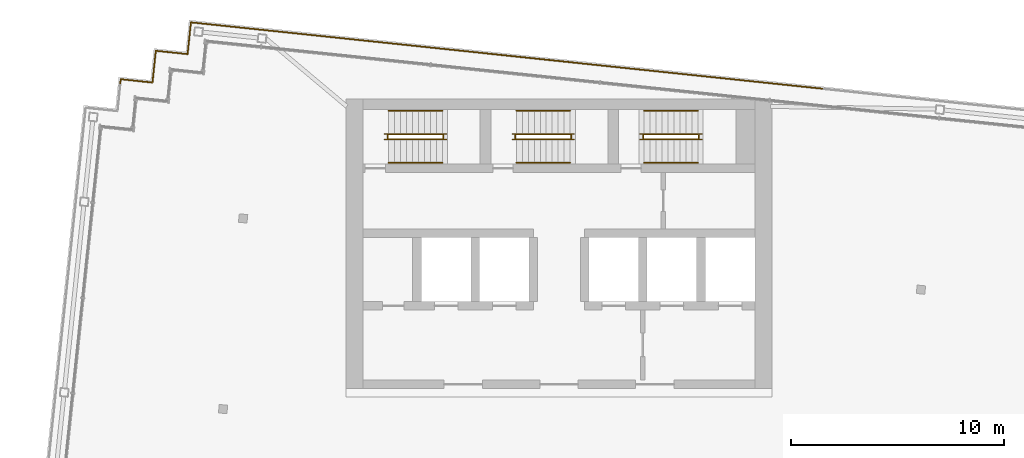
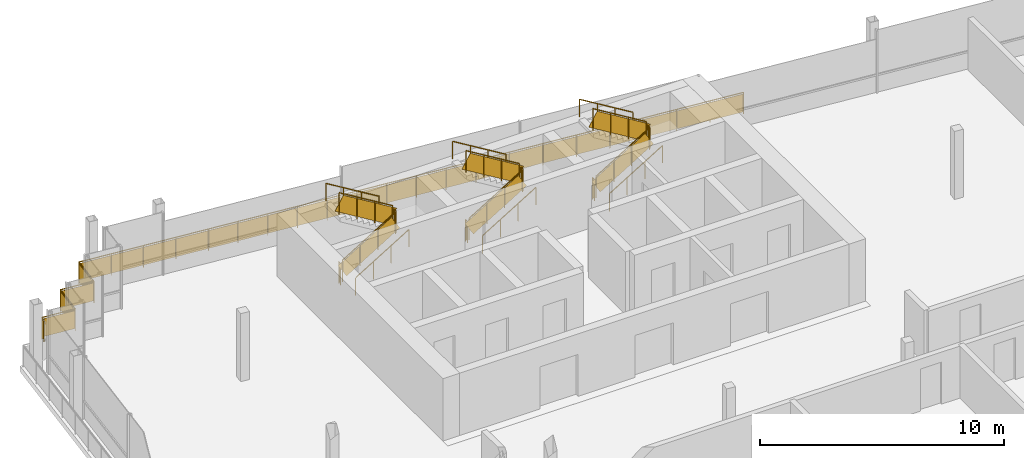
# One storey, part 14 of 15: 21 railings.
"""IFC4 building model written with IfcOpenShell, lengths in metres."""

import ifcopenshell
import ifcopenshell.guid

model = None  # the IFC model being written
_history = None  # IfcOwnerHistory: only IFC2X3 demands one
_inside = {}  # id of a spatial element -> (the spatial element, [elements in it])
_under = {}  # id of a project, library or spatial element -> (it, [spatial elements below it])
_declared = {}  # id of a project -> (the project, [libraries it declares])
_typed = {}  # id of a type object -> (the type object, [elements of that type])
_made_of = {}  # id of a material, layer set ... -> (it, [elements and type objects made of it])


def new_model(schema):
    """Start an empty IFC model of exactly this schema.

    Asked for "IFC4X3", IfcOpenShell would pick the latest addendum, in which some entities
    have other attributes; the version numbers below select the first issue.
    IFC2X3 requires an IfcOwnerHistory on every rooted entity: one is made here for all.
    """
    global model, _history
    if schema == "IFC4X3":
        model = ifcopenshell.file(schema_version=(4, 3, 0, 0))
    else:
        model = ifcopenshell.file(schema=schema)
    _inside.clear()
    _under.clear()
    _declared.clear()
    _typed.clear()
    _made_of.clear()
    _history = None
    if model.schema == "IFC2X3":
        org = make("IfcOrganization", Name="unknown")
        user = make(
            "IfcPersonAndOrganization",
            ThePerson=make("IfcPerson", FamilyName="unknown"),
            TheOrganization=org,
        )
        app = make(
            "IfcApplication",
            ApplicationDeveloper=org,
            Version="unknown",
            ApplicationFullName="unknown",
            ApplicationIdentifier="unknown",
        )
        _history = make(
            "IfcOwnerHistory",
            OwningUser=user,
            OwningApplication=app,
            ChangeAction="ADDED",
            CreationDate=0,
        )
    return model


def make(cls, **values):
    """One entity of the class cls with the attributes given. An attribute that is None is left unset."""
    return model.create_entity(
        cls, **{name: value for name, value in values.items() if value is not None}
    )


def rooted(cls, **values):
    """An entity with a GlobalId (a new one), such as an element, a storey or a relation."""
    return make(cls, GlobalId=ifcopenshell.guid.new(), OwnerHistory=_history, **values)


def si_unit(unit_type, name, prefix=None):
    """IfcSIUnit, for example si_unit("LENGTHUNIT", "METRE", prefix="MILLI")."""
    return make("IfcSIUnit", UnitType=unit_type, Prefix=prefix, Name=name)


def assignment(units):
    """IfcUnitAssignment: the units of a project."""
    return None if units is None else make("IfcUnitAssignment", Units=units)


def point(xyz):
    """IfcCartesianPoint."""
    return None if xyz is None else make("IfcCartesianPoint", Coordinates=xyz)


def direction(xyz):
    """IfcDirection."""
    return None if xyz is None else make("IfcDirection", DirectionRatios=xyz)


def frame(location, z_axis=None, x_axis=None):
    """IfcAxis2Placement3D, a coordinate frame: its origin and axes. An axis left out is left unset."""
    return make(
        "IfcAxis2Placement3D",
        Location=point(location),
        Axis=direction(z_axis),
        RefDirection=direction(x_axis),
    )


def frame_2d(location, x_axis=None):
    """IfcAxis2Placement2D, a coordinate frame in the plane: its origin and x axis."""
    return make(
        "IfcAxis2Placement2D", Location=point(location), RefDirection=direction(x_axis)
    )


def origin():
    """The frame at (0, 0, 0) with its axes left unset."""
    return frame((0.0, 0.0, 0.0))


def origin_2d():
    """The frame at (0, 0) in the plane with its x axis left unset."""
    return frame_2d((0.0, 0.0))


def place(relative_to, where):
    """IfcLocalPlacement: puts the frame where relative to a parent placement (None: the world)."""
    return make(
        "IfcLocalPlacement", PlacementRelTo=relative_to, RelativePlacement=where
    )


def context(
    kind, dimensions, precision=None, world=None, true_north=None, identifier=None
):
    """IfcGeometricRepresentationContext, for example the 3D "Model" context."""
    return make(
        "IfcGeometricRepresentationContext",
        ContextIdentifier=identifier,
        ContextType=kind,
        CoordinateSpaceDimension=dimensions,
        Precision=precision,
        WorldCoordinateSystem=world,
        TrueNorth=true_north,
    )


def subcontext(parent, identifier, kind, view, scale=None):
    """IfcGeometricRepresentationSubContext, for example "Body" below "Model"."""
    return make(
        "IfcGeometricRepresentationSubContext",
        ContextIdentifier=identifier,
        ContextType=kind,
        ParentContext=parent,
        TargetScale=scale,
        TargetView=view,
    )


def project(units=None, contexts=None):
    """IfcProject with its units and contexts."""
    return rooted(
        "IfcProject",
        Name="project",
        RepresentationContexts=contexts,
        UnitsInContext=assignment(units),
    )


def spatial(cls, under=None, at=None, **own):
    """A site, building, storey or space (cls), placed at a placement, below another one or the project."""
    s = rooted(cls, ObjectPlacement=at, **own)
    if under is not None:
        _under.setdefault(under.id(), (under, []))[1].append(s)
    return s


def profile(cls, at=None, kind="AREA", **sizes):
    """A parametric profile (cls). Its sizes go by their IFC names, for example OverallWidth=200.0."""
    return make(cls, ProfileType=kind, Position=at, **sizes)


def rectangle(**sizes):
    """IfcRectangleProfileDef."""
    return profile("IfcRectangleProfileDef", **sizes)


def circle(**sizes):
    """IfcCircleProfileDef."""
    return profile("IfcCircleProfileDef", **sizes)


def extrude(swept, where, along, depth):
    """IfcExtrudedAreaSolid: the profile swept, set in the frame where, extruded along a direction by depth."""
    return make(
        "IfcExtrudedAreaSolid",
        SweptArea=swept,
        Position=where,
        ExtrudedDirection=direction(along),
        Depth=depth,
    )


def shape(context_of_items, identifier, shape_type, items):
    """IfcShapeRepresentation: the items that make up one representation, for example the "Body"."""
    return make(
        "IfcShapeRepresentation",
        ContextOfItems=context_of_items,
        RepresentationIdentifier=identifier,
        RepresentationType=shape_type,
        Items=items,
    )


def material(Name=None, Category=None):
    """IfcMaterial."""
    return make("IfcMaterial", Name=Name, Category=Category)


def made_of(thing, what):
    """Note that an element or type object is made of a material, layer set ...; save() writes the relation."""
    if what is not None:
        _made_of.setdefault(what.id(), (what, []))[1].append(thing)
    return thing


def type_object(cls, material=None, **own):
    """A type object (cls), such as IfcWallType, which elements share."""
    return made_of(rooted(cls, **own), material)


def element(
    cls,
    number,
    at=None,
    inside=None,
    cuts=None,
    type_object=None,
    material=None,
    context=None,
    identifier="Body",
    shape_type=None,
    held_by="IfcProductDefinitionShape",
    body=None,
    shapes=None,
    **own,
):
    """One element of the class cls, such as IfcWall. Its Tag is "e" and its number.

    at: its placement. inside: the storey or other place that contains it. cuts: it is an
    opening in that element (IfcRelVoidsElement). A single representation is given by context,
    identifier, shape_type and body (its items); several are given by shapes. held_by: the class
    of the entity that holds the representations. save() writes the other relations.
    """
    e = rooted(cls, Tag="e%d" % number, ObjectPlacement=at, **own)
    if body is not None:
        shapes = [shape(context, identifier, shape_type, body)]
    if shapes is not None:
        e.Representation = make(held_by, Representations=shapes)
    if inside is not None:
        _inside.setdefault(inside.id(), (inside, []))[1].append(e)
    if cuts is not None:
        rooted(
            "IfcRelVoidsElement", RelatingBuildingElement=cuts, RelatedOpeningElement=e
        )
    if type_object is not None:
        _typed.setdefault(type_object.id(), (type_object, []))[1].append(e)
    return made_of(e, material)


def aggregate(whole, parts):
    """IfcRelAggregates: a whole, such as a stair, and the parts it consists of."""
    return rooted("IfcRelAggregates", RelatingObject=whole, RelatedObjects=parts)


def save(model, path):
    """Write the relations noted so far, then the file.

    IfcRelAggregates (storeys below a building ...), IfcRelContainedInSpatialStructure (elements
    in a storey), IfcRelDefinesByType, IfcRelAssociatesMaterial and IfcRelDeclares: one each for
    every whole, place, type object, material and project.
    """
    for whole, parts in _under.values():
        aggregate(whole, parts)
    for where, things in _inside.values():
        rooted(
            "IfcRelContainedInSpatialStructure",
            RelatedElements=things,
            RelatingStructure=where,
        )
    for kind, things in _typed.values():
        rooted("IfcRelDefinesByType", RelatedObjects=things, RelatingType=kind)
    for what, things in _made_of.values():
        rooted("IfcRelAssociatesMaterial", RelatedObjects=things, RelatingMaterial=what)
    for by, libraries in _declared.values():
        rooted("IfcRelDeclares", RelatingContext=by, RelatedDefinitions=libraries)
    model.write(path)


model = new_model("IFC4")

# Units and contexts
model_context = context("Model", 3, precision=1e-05, world=origin(), true_north=direction((0.0, 1.0)))
body_context = subcontext(model_context, "Body", "Model", "MODEL_VIEW")
ifc_project = project(units=[si_unit("LENGTHUNIT", "METRE"), si_unit("AREAUNIT", "SQUARE_METRE"), si_unit("VOLUMEUNIT", "CUBIC_METRE"), si_unit("PLANEANGLEUNIT", "RADIAN"), si_unit("MASSUNIT", "GRAM", prefix="KILO")], contexts=[model_context])

# Site, building, storey
site_placement = place(None, origin())
site = spatial("IfcSite", under=ifc_project, at=site_placement, CompositionType="ELEMENT")
building_placement = place(site_placement, origin())
building = spatial("IfcBuilding", under=site, at=building_placement, Name="Vidyagriha Tower", CompositionType="ELEMENT")
storey_placement = place(building_placement, frame((0.0, 0.0, 291.5)))
storey = spatial("IfcBuildingStorey", under=building, at=storey_placement, Name="L75", CompositionType="ELEMENT", Elevation=291.5)

# Railings
ifc_material_1 = material(Name="Steel ASTM A500 Grade C black painted", Category="steel")
railing_type_1 = type_object("IfcRailingType", Name="Gallery guard 1100", PredefinedType="GUARDRAIL", material=ifc_material_1)
railing_1_placement = place(storey_placement, frame((-20.600341796875, 20.727783203125, 0.0)))
element("IfcRailing", 1, at=railing_1_placement, inside=storey, type_object=railing_type_1, Name="Gallery guard L75 9", PredefinedType="GUARDRAIL", context=body_context, shape_type="SweptSolid", body=[
    extrude(circle(Radius=0.02490234375, at=origin_2d()), frame((0.0, 0.0, 1.0751953125), z_axis=(0.10506634941, 0.994465214184, 0.0), x_axis=(-0.994465214184, 0.10506634941, 0.0)), (0.0, 0.0, 1.0), 0.199951171875),
    extrude(circle(Radius=0.02490234375, at=origin_2d()), frame((0.02099609375, 0.19873046875, 1.0751953125), z_axis=(0.994525057048, -0.104498377516, 0.0), x_axis=(0.104498377516, 0.994525057048, 0.0)), (0.0, 0.0, 1.0), 1.5),
    extrude(circle(Radius=0.02490234375, at=origin_2d()), frame((1.5126953125, 0.0419921875, 1.0751953125), z_axis=(0.104498377516, 0.994525057048, 0.0), x_axis=(-0.994525057048, 0.104498377516, 0.0)), (0.0, 0.0, 1.0), 1.5),
    extrude(circle(Radius=0.02490234375, at=origin_2d()), frame((1.66943359375, 1.53369140625, 1.0751953125), z_axis=(0.994525057048, -0.104498377516, 0.0), x_axis=(0.104498377516, 0.994525057048, 0.0)), (0.0, 0.0, 1.0), 1.5),
    extrude(circle(Radius=0.02490234375, at=origin_2d()), frame((3.1611328125, 1.376953125, 1.0751953125), z_axis=(0.104659366031, 0.994508128223, 0.0), x_axis=(-0.994508128223, 0.104659366031, 0.0)), (0.0, 0.0, 1.0), 1.5),
    extrude(circle(Radius=0.02490234375, at=origin_2d()), frame((3.318115234375, 2.86865234375, 1.0751953125), z_axis=(0.994523198252, -0.104516066418, 0.0), x_axis=(0.104516066418, 0.994523198252, 0.0)), (0.0, 0.0, 1.0), 5.800048828125),
    extrude(circle(Radius=0.02001953125, at=origin_2d()), origin(), (0.0, 0.0, 1.0), 1.050048828125),
    extrude(circle(Radius=0.02001953125, at=origin_2d()), frame((0.02099609375, 0.19873046875, 0.0)), (0.0, 0.0, 1.0), 1.050048828125),
    extrude(circle(Radius=0.02001953125, at=origin_2d()), frame((1.5126953125, 0.0419921875, 0.0)), (0.0, 0.0, 1.0), 1.050048828125),
    extrude(circle(Radius=0.02001953125, at=origin_2d()), frame((1.66943359375, 1.53369140625, 0.0)), (0.0, 0.0, 1.0), 1.050048828125),
    extrude(circle(Radius=0.02001953125, at=origin_2d()), frame((3.1611328125, 1.376953125, 0.0)), (0.0, 0.0, 1.0), 1.050048828125),
    extrude(circle(Radius=0.02001953125, at=origin_2d()), frame((3.318115234375, 2.86865234375, 0.0)), (0.0, 0.0, 1.0), 1.050048828125),
    extrude(circle(Radius=0.02001953125, at=origin_2d()), frame((4.76025390625, 2.717041015625, 0.0)), (0.0, 0.0, 1.0), 1.050048828125),
    extrude(circle(Radius=0.02001953125, at=origin_2d()), frame((6.2021484375, 2.5654296875, 0.0)), (0.0, 0.0, 1.0), 1.050048828125),
    extrude(circle(Radius=0.02001953125, at=origin_2d()), frame((7.644287109375, 2.4140625, 0.0)), (0.0, 0.0, 1.0), 1.050048828125),
    extrude(circle(Radius=0.02001953125, at=origin_2d()), frame((9.08642578125, 2.262451171875, 0.0)), (0.0, 0.0, 1.0), 1.050048828125),
    extrude(rectangle(XDim=0.010009765625, YDim=0.900146484375, at=origin_2d()), frame((0.0, 0.0, 0.550048828125), z_axis=(0.10506634941, 0.994465214184, 0.0), x_axis=(-0.994465214184, 0.10506634941, 0.0)), (0.0, 0.0, 1.0), 0.199951171875),
    extrude(rectangle(XDim=0.010009765625, YDim=0.900146484375, at=origin_2d()), frame((0.02099609375, 0.19873046875, 0.550048828125), z_axis=(0.994525057048, -0.104498377516, 0.0), x_axis=(0.104498377516, 0.994525057048, 0.0)), (0.0, 0.0, 1.0), 1.5),
    extrude(rectangle(XDim=0.010009765625, YDim=0.900146484375, at=origin_2d()), frame((1.5126953125, 0.0419921875, 0.550048828125), z_axis=(0.104498377516, 0.994525057048, 0.0), x_axis=(-0.994525057048, 0.104498377516, 0.0)), (0.0, 0.0, 1.0), 1.5),
    extrude(rectangle(XDim=0.010009765625, YDim=0.900146484375, at=origin_2d()), frame((1.66943359375, 1.53369140625, 0.550048828125), z_axis=(0.994525057048, -0.104498377516, 0.0), x_axis=(0.104498377516, 0.994525057048, 0.0)), (0.0, 0.0, 1.0), 1.5),
    extrude(rectangle(XDim=0.010009765625, YDim=0.900146484375, at=origin_2d()), frame((3.1611328125, 1.376953125, 0.550048828125), z_axis=(0.104659366031, 0.994508128223, 0.0), x_axis=(-0.994508128223, 0.104659366031, 0.0)), (0.0, 0.0, 1.0), 1.5),
    extrude(rectangle(XDim=0.010009765625, YDim=0.900146484375, at=origin_2d()), frame((3.318115234375, 2.86865234375, 0.550048828125), z_axis=(0.994523198252, -0.104516066418, 0.0), x_axis=(0.104516066418, 0.994523198252, 0.0)), (0.0, 0.0, 1.0), 5.800048828125),
])
railing_2_placement = place(storey_placement, frame((-11.513916015625, 22.990234375, 0.0)))
element("IfcRailing", 2, at=railing_2_placement, inside=storey, type_object=railing_type_1, Name="Gallery guard L75 10", PredefinedType="GUARDRAIL", context=body_context, shape_type="SweptSolid", body=[
    extrude(circle(Radius=0.02490234375, at=origin_2d()), frame((0.0, 0.0, 1.0751953125), z_axis=(0.994521494219, -0.104532279878, 0.0), x_axis=(0.104532279878, 0.994521494219, 0.0)), (0.0, 0.0, 1.0), 12.0),
    extrude(circle(Radius=0.02001953125, at=origin_2d()), origin(), (0.0, 0.0, 1.0), 1.050048828125),
    extrude(circle(Radius=0.02001953125, at=origin_2d()), frame((1.325927734375, -0.139404296875, 0.0)), (0.0, 0.0, 1.0), 1.050048828125),
    extrude(circle(Radius=0.02001953125, at=origin_2d()), frame((2.652099609375, -0.27880859375, 0.0)), (0.0, 0.0, 1.0), 1.050048828125),
    extrude(circle(Radius=0.02001953125, at=origin_2d()), frame((3.97802734375, -0.418212890625, 0.0)), (0.0, 0.0, 1.0), 1.050048828125),
    extrude(circle(Radius=0.02001953125, at=origin_2d()), frame((5.30419921875, -0.5576171875, 0.0)), (0.0, 0.0, 1.0), 1.050048828125),
    extrude(circle(Radius=0.02001953125, at=origin_2d()), frame((6.630126953125, -0.69677734375, 0.0)), (0.0, 0.0, 1.0), 1.050048828125),
    extrude(circle(Radius=0.02001953125, at=origin_2d()), frame((7.956298828125, -0.836181640625, 0.0)), (0.0, 0.0, 1.0), 1.050048828125),
    extrude(circle(Radius=0.02001953125, at=origin_2d()), frame((9.2822265625, -0.9755859375, 0.0)), (0.0, 0.0, 1.0), 1.050048828125),
    extrude(circle(Radius=0.02001953125, at=origin_2d()), frame((10.6083984375, -1.114990234375, 0.0)), (0.0, 0.0, 1.0), 1.050048828125),
    extrude(circle(Radius=0.02001953125, at=origin_2d()), frame((11.934326171875, -1.25439453125, 0.0)), (0.0, 0.0, 1.0), 1.050048828125),
    extrude(rectangle(XDim=0.010009765625, YDim=0.900146484375, at=origin_2d()), frame((0.0, 0.0, 0.550048828125), z_axis=(0.994521494219, -0.104532279878, 0.0), x_axis=(0.104532279878, 0.994521494219, 0.0)), (0.0, 0.0, 1.0), 12.0),
])
railing_3_placement = place(storey_placement, frame((0.42041015625, 21.73583984375, 0.0)))
element("IfcRailing", 3, at=railing_3_placement, inside=storey, type_object=railing_type_1, Name="Gallery guard L75 11", PredefinedType="GUARDRAIL", context=body_context, shape_type="SweptSolid", body=[
    extrude(circle(Radius=0.02490234375, at=origin_2d()), frame((0.0, 0.0, 1.0751953125), z_axis=(0.994523386841, -0.104514271883, 0.0), x_axis=(0.104514271883, 0.994523386841, 0.0)), (0.0, 0.0, 1.0), 11.999755859375),
    extrude(circle(Radius=0.02001953125, at=origin_2d()), origin(), (0.0, 0.0, 1.0), 1.050048828125),
    extrude(circle(Radius=0.02001953125, at=origin_2d()), frame((1.49169921875, -0.15673828125, 0.0)), (0.0, 0.0, 1.0), 1.050048828125),
    extrude(circle(Radius=0.02001953125, at=origin_2d()), frame((2.9833984375, -0.3134765625, 0.0)), (0.0, 0.0, 1.0), 1.050048828125),
    extrude(circle(Radius=0.02001953125, at=origin_2d()), frame((4.475341796875, -0.47021484375, 0.0)), (0.0, 0.0, 1.0), 1.050048828125),
    extrude(circle(Radius=0.02001953125, at=origin_2d()), frame((5.967041015625, -0.626953125, 0.0)), (0.0, 0.0, 1.0), 1.050048828125),
    extrude(circle(Radius=0.02001953125, at=origin_2d()), frame((7.458740234375, -0.783935546875, 0.0)), (0.0, 0.0, 1.0), 1.050048828125),
    extrude(circle(Radius=0.02001953125, at=origin_2d()), frame((8.95068359375, -0.940673828125, 0.0)), (0.0, 0.0, 1.0), 1.050048828125),
    extrude(circle(Radius=0.02001953125, at=origin_2d()), frame((10.4423828125, -1.097412109375, 0.0)), (0.0, 0.0, 1.0), 1.050048828125),
    extrude(circle(Radius=0.02001953125, at=origin_2d()), frame((11.93408203125, -1.254150390625, 0.0)), (0.0, 0.0, 1.0), 1.050048828125),
    extrude(rectangle(XDim=0.010009765625, YDim=0.900146484375, at=origin_2d()), frame((0.0, 0.0, 0.550048828125), z_axis=(0.994523386841, -0.104514271883, 0.0), x_axis=(0.104514271883, 0.994523386841, 0.0)), (0.0, 0.0, 1.0), 11.999755859375),
])
ifc_material_2 = material(Name="Steel ASTM A500 Grade C", Category="steel")
railing_type_2 = type_object("IfcRailingType", Name="Stair guard 1100 mm, steel balustrade", PredefinedType="GUARDRAIL", material=ifc_material_2)
railing_4_placement = place(storey_placement, frame((-8.0, 18.10009765625, 0.169921875)))
element("IfcRailing", 4, at=railing_4_placement, inside=storey, type_object=railing_type_2, Name="L75 ST1 stair guard 1", PredefinedType="GUARDRAIL", context=body_context, shape_type="SweptSolid", body=[
    extrude(circle(Radius=0.02392578125, at=origin_2d()), frame((0.0, 0.0, 1.076171875), z_axis=(0.85478489116, 0.0, 0.518982456201), x_axis=(0.0, 1.0, 0.0)), (0.0, 0.0, 1.0), 2.9482421875),
    extrude(circle(Radius=0.02099609375, at=origin_2d()), origin(), (0.0, 0.0, 1.0), 1.052001953125),
    extrude(circle(Radius=0.02099609375, at=origin_2d()), frame((0.840087890625, 0.0, 0.510009765625)), (0.0, 0.0, 1.0), 1.052001953125),
    extrude(circle(Radius=0.02099609375, at=origin_2d()), frame((1.679931640625, 0.0, 1.02001953125)), (0.0, 0.0, 1.0), 1.052001953125),
    extrude(circle(Radius=0.02099609375, at=origin_2d()), frame((2.52001953125, 0.0, 1.530029296875)), (0.0, 0.0, 1.0), 1.052001953125),
    extrude(rectangle(XDim=0.010009765625, YDim=0.77099609375, at=origin_2d()), frame((0.0, 0.0, 0.551025390625), z_axis=(0.85478489116, 0.0, 0.518982456201), x_axis=(0.0, 1.0, 0.0)), (0.0, 0.0, 1.0), 2.9482421875),
])
railing_5_placement = place(storey_placement, frame((-5.429931640625, 18.14990234375, 1.699951171875)))
element("IfcRailing", 5, at=railing_5_placement, inside=storey, type_object=railing_type_2, Name="L75 ST1 stair guard 2", PredefinedType="GUARDRAIL", context=body_context, shape_type="SweptSolid", body=[
    extrude(circle(Radius=0.02392578125, at=origin_2d()), frame((0.0, 0.0, 1.076171875), z_axis=(0.0, 1.0, 0.0), x_axis=(-1.0, 0.0, 0.0)), (0.0, 0.0, 1.0), 0.150146484375),
    extrude(circle(Radius=0.02099609375, at=origin_2d()), origin(), (0.0, 0.0, 1.0), 1.052001953125),
    extrude(circle(Radius=0.02099609375, at=origin_2d()), frame((0.0, 0.150146484375, 0.0)), (0.0, 0.0, 1.0), 1.052001953125),
    extrude(rectangle(XDim=0.010009765625, YDim=0.902099609375, at=origin_2d()), frame((0.0, 0.0, 0.551025390625), z_axis=(0.0, 1.0, 0.0), x_axis=(-1.0, 0.0, 0.0)), (0.0, 0.0, 1.0), 0.150146484375),
])
railing_6_placement = place(storey_placement, frame((-5.47998046875, 18.35009765625, 1.8701171875)))
element("IfcRailing", 6, at=railing_6_placement, inside=storey, type_object=railing_type_2, Name="L75 ST1 stair guard 3", PredefinedType="GUARDRAIL", context=body_context, shape_type="SweptSolid", body=[
    extrude(circle(Radius=0.02392578125, at=origin_2d()), frame((0.0, 0.0, 1.076171875), z_axis=(-0.854821627497, 0.0, 0.518921945155), x_axis=(0.0, -1.0, 0.0)), (0.0, 0.0, 1.0), 2.947998046875),
    extrude(circle(Radius=0.02099609375, at=origin_2d()), origin(), (0.0, 0.0, 1.0), 1.052001953125),
    extrude(circle(Radius=0.02099609375, at=origin_2d()), frame((-0.840087890625, 0.0, 0.510009765625)), (0.0, 0.0, 1.0), 1.052001953125),
    extrude(circle(Radius=0.02099609375, at=origin_2d()), frame((-1.679931640625, 0.0, 1.019775390625)), (0.0, 0.0, 1.0), 1.052001953125),
    extrude(circle(Radius=0.02099609375, at=origin_2d()), frame((-2.52001953125, 0.0, 1.52978515625)), (0.0, 0.0, 1.0), 1.052001953125),
    extrude(rectangle(XDim=0.010009765625, YDim=0.77099609375, at=origin_2d()), frame((0.0, 0.0, 0.551025390625), z_axis=(-0.854821627497, 0.0, 0.518921945155), x_axis=(0.0, -1.0, 0.0)), (0.0, 0.0, 1.0), 2.947998046875),
])
railing_7_placement = place(storey_placement, frame((-8.050048828125, 18.14990234375, 0.0)))
element("IfcRailing", 7, at=railing_7_placement, inside=storey, type_object=railing_type_2, Name="L75 ST1 stair guard 4", PredefinedType="GUARDRAIL", context=body_context, shape_type="SweptSolid", body=[
    extrude(circle(Radius=0.02392578125, at=origin_2d()), frame((0.0, 0.0, 1.076171875), z_axis=(0.0, 1.0, 0.0), x_axis=(-1.0, 0.0, 0.0)), (0.0, 0.0, 1.0), 0.150146484375),
    extrude(circle(Radius=0.02099609375, at=origin_2d()), origin(), (0.0, 0.0, 1.0), 1.052001953125),
    extrude(circle(Radius=0.02099609375, at=origin_2d()), frame((0.0, 0.150146484375, 0.0)), (0.0, 0.0, 1.0), 1.052001953125),
    extrude(rectangle(XDim=0.010009765625, YDim=0.902099609375, at=origin_2d()), frame((0.0, 0.0, 0.551025390625), z_axis=(0.0, 1.0, 0.0), x_axis=(-1.0, 0.0, 0.0)), (0.0, 0.0, 1.0), 0.150146484375),
])
railing_8_placement = place(storey_placement, frame((-2.0, 18.10009765625, 0.169921875)))
element("IfcRailing", 8, at=railing_8_placement, inside=storey, type_object=railing_type_2, Name="L75 ST2 stair guard 1", PredefinedType="GUARDRAIL", context=body_context, shape_type="SweptSolid", body=[
    extrude(circle(Radius=0.02392578125, at=origin_2d()), frame((0.0, 0.0, 1.076171875), z_axis=(0.85478489116, 0.0, 0.518982456201), x_axis=(0.0, 1.0, 0.0)), (0.0, 0.0, 1.0), 2.9482421875),
    extrude(circle(Radius=0.02099609375, at=origin_2d()), origin(), (0.0, 0.0, 1.0), 1.052001953125),
    extrude(circle(Radius=0.02099609375, at=origin_2d()), frame((0.840087890625, 0.0, 0.510009765625)), (0.0, 0.0, 1.0), 1.052001953125),
    extrude(circle(Radius=0.02099609375, at=origin_2d()), frame((1.679931640625, 0.0, 1.02001953125)), (0.0, 0.0, 1.0), 1.052001953125),
    extrude(circle(Radius=0.02099609375, at=origin_2d()), frame((2.52001953125, 0.0, 1.530029296875)), (0.0, 0.0, 1.0), 1.052001953125),
    extrude(rectangle(XDim=0.010009765625, YDim=0.77099609375, at=origin_2d()), frame((0.0, 0.0, 0.551025390625), z_axis=(0.85478489116, 0.0, 0.518982456201), x_axis=(0.0, 1.0, 0.0)), (0.0, 0.0, 1.0), 2.9482421875),
])
railing_9_placement = place(storey_placement, frame((0.570068359375, 18.14990234375, 1.699951171875)))
element("IfcRailing", 9, at=railing_9_placement, inside=storey, type_object=railing_type_2, Name="L75 ST2 stair guard 2", PredefinedType="GUARDRAIL", context=body_context, shape_type="SweptSolid", body=[
    extrude(circle(Radius=0.02392578125, at=origin_2d()), frame((0.0, 0.0, 1.076171875), z_axis=(0.0, 1.0, 0.0), x_axis=(-1.0, 0.0, 0.0)), (0.0, 0.0, 1.0), 0.150146484375),
    extrude(circle(Radius=0.02099609375, at=origin_2d()), origin(), (0.0, 0.0, 1.0), 1.052001953125),
    extrude(circle(Radius=0.02099609375, at=origin_2d()), frame((0.0, 0.150146484375, 0.0)), (0.0, 0.0, 1.0), 1.052001953125),
    extrude(rectangle(XDim=0.010009765625, YDim=0.902099609375, at=origin_2d()), frame((0.0, 0.0, 0.551025390625), z_axis=(0.0, 1.0, 0.0), x_axis=(-1.0, 0.0, 0.0)), (0.0, 0.0, 1.0), 0.150146484375),
])
railing_10_placement = place(storey_placement, frame((0.52001953125, 18.35009765625, 1.8701171875)))
element("IfcRailing", 10, at=railing_10_placement, inside=storey, type_object=railing_type_2, Name="L75 ST2 stair guard 3", PredefinedType="GUARDRAIL", context=body_context, shape_type="SweptSolid", body=[
    extrude(circle(Radius=0.02392578125, at=origin_2d()), frame((0.0, 0.0, 1.076171875), z_axis=(-0.854821627497, 0.0, 0.518921945155), x_axis=(0.0, -1.0, 0.0)), (0.0, 0.0, 1.0), 2.947998046875),
    extrude(circle(Radius=0.02099609375, at=origin_2d()), origin(), (0.0, 0.0, 1.0), 1.052001953125),
    extrude(circle(Radius=0.02099609375, at=origin_2d()), frame((-0.840087890625, 0.0, 0.510009765625)), (0.0, 0.0, 1.0), 1.052001953125),
    extrude(circle(Radius=0.02099609375, at=origin_2d()), frame((-1.679931640625, 0.0, 1.019775390625)), (0.0, 0.0, 1.0), 1.052001953125),
    extrude(circle(Radius=0.02099609375, at=origin_2d()), frame((-2.52001953125, 0.0, 1.52978515625)), (0.0, 0.0, 1.0), 1.052001953125),
    extrude(rectangle(XDim=0.010009765625, YDim=0.77099609375, at=origin_2d()), frame((0.0, 0.0, 0.551025390625), z_axis=(-0.854821627497, 0.0, 0.518921945155), x_axis=(0.0, -1.0, 0.0)), (0.0, 0.0, 1.0), 2.947998046875),
])
railing_11_placement = place(storey_placement, frame((-2.050048828125, 18.14990234375, 0.0)))
element("IfcRailing", 11, at=railing_11_placement, inside=storey, type_object=railing_type_2, Name="L75 ST2 stair guard 4", PredefinedType="GUARDRAIL", context=body_context, shape_type="SweptSolid", body=[
    extrude(circle(Radius=0.02392578125, at=origin_2d()), frame((0.0, 0.0, 1.076171875), z_axis=(0.0, 1.0, 0.0), x_axis=(-1.0, 0.0, 0.0)), (0.0, 0.0, 1.0), 0.150146484375),
    extrude(circle(Radius=0.02099609375, at=origin_2d()), origin(), (0.0, 0.0, 1.0), 1.052001953125),
    extrude(circle(Radius=0.02099609375, at=origin_2d()), frame((0.0, 0.150146484375, 0.0)), (0.0, 0.0, 1.0), 1.052001953125),
    extrude(rectangle(XDim=0.010009765625, YDim=0.902099609375, at=origin_2d()), frame((0.0, 0.0, 0.551025390625), z_axis=(0.0, 1.0, 0.0), x_axis=(-1.0, 0.0, 0.0)), (0.0, 0.0, 1.0), 0.150146484375),
])
railing_12_placement = place(storey_placement, frame((4.0, 18.10009765625, 0.169921875)))
element("IfcRailing", 12, at=railing_12_placement, inside=storey, type_object=railing_type_2, Name="L75 ST3 stair guard 1", PredefinedType="GUARDRAIL", context=body_context, shape_type="SweptSolid", body=[
    extrude(circle(Radius=0.02392578125, at=origin_2d()), frame((0.0, 0.0, 1.076171875), z_axis=(0.85478489116, 0.0, 0.518982456201), x_axis=(0.0, 1.0, 0.0)), (0.0, 0.0, 1.0), 2.9482421875),
    extrude(circle(Radius=0.02099609375, at=origin_2d()), origin(), (0.0, 0.0, 1.0), 1.052001953125),
    extrude(circle(Radius=0.02099609375, at=origin_2d()), frame((0.840087890625, 0.0, 0.510009765625)), (0.0, 0.0, 1.0), 1.052001953125),
    extrude(circle(Radius=0.02099609375, at=origin_2d()), frame((1.679931640625, 0.0, 1.02001953125)), (0.0, 0.0, 1.0), 1.052001953125),
    extrude(circle(Radius=0.02099609375, at=origin_2d()), frame((2.52001953125, 0.0, 1.530029296875)), (0.0, 0.0, 1.0), 1.052001953125),
    extrude(rectangle(XDim=0.010009765625, YDim=0.77099609375, at=origin_2d()), frame((0.0, 0.0, 0.551025390625), z_axis=(0.85478489116, 0.0, 0.518982456201), x_axis=(0.0, 1.0, 0.0)), (0.0, 0.0, 1.0), 2.9482421875),
])
railing_13_placement = place(storey_placement, frame((6.570068359375, 18.14990234375, 1.699951171875)))
element("IfcRailing", 13, at=railing_13_placement, inside=storey, type_object=railing_type_2, Name="L75 ST3 stair guard 2", PredefinedType="GUARDRAIL", context=body_context, shape_type="SweptSolid", body=[
    extrude(circle(Radius=0.02392578125, at=origin_2d()), frame((0.0, 0.0, 1.076171875), z_axis=(0.0, 1.0, 0.0), x_axis=(-1.0, 0.0, 0.0)), (0.0, 0.0, 1.0), 0.150146484375),
    extrude(circle(Radius=0.02099609375, at=origin_2d()), origin(), (0.0, 0.0, 1.0), 1.052001953125),
    extrude(circle(Radius=0.02099609375, at=origin_2d()), frame((0.0, 0.150146484375, 0.0)), (0.0, 0.0, 1.0), 1.052001953125),
    extrude(rectangle(XDim=0.010009765625, YDim=0.902099609375, at=origin_2d()), frame((0.0, 0.0, 0.551025390625), z_axis=(0.0, 1.0, 0.0), x_axis=(-1.0, 0.0, 0.0)), (0.0, 0.0, 1.0), 0.150146484375),
])
railing_14_placement = place(storey_placement, frame((6.52001953125, 18.35009765625, 1.8701171875)))
element("IfcRailing", 14, at=railing_14_placement, inside=storey, type_object=railing_type_2, Name="L75 ST3 stair guard 3", PredefinedType="GUARDRAIL", context=body_context, shape_type="SweptSolid", body=[
    extrude(circle(Radius=0.02392578125, at=origin_2d()), frame((0.0, 0.0, 1.076171875), z_axis=(-0.854821627497, 0.0, 0.518921945155), x_axis=(0.0, -1.0, 0.0)), (0.0, 0.0, 1.0), 2.947998046875),
    extrude(circle(Radius=0.02099609375, at=origin_2d()), origin(), (0.0, 0.0, 1.0), 1.052001953125),
    extrude(circle(Radius=0.02099609375, at=origin_2d()), frame((-0.840087890625, 0.0, 0.510009765625)), (0.0, 0.0, 1.0), 1.052001953125),
    extrude(circle(Radius=0.02099609375, at=origin_2d()), frame((-1.679931640625, 0.0, 1.019775390625)), (0.0, 0.0, 1.0), 1.052001953125),
    extrude(circle(Radius=0.02099609375, at=origin_2d()), frame((-2.52001953125, 0.0, 1.52978515625)), (0.0, 0.0, 1.0), 1.052001953125),
    extrude(rectangle(XDim=0.010009765625, YDim=0.77099609375, at=origin_2d()), frame((0.0, 0.0, 0.551025390625), z_axis=(-0.854821627497, 0.0, 0.518921945155), x_axis=(0.0, -1.0, 0.0)), (0.0, 0.0, 1.0), 2.947998046875),
])
railing_15_placement = place(storey_placement, frame((3.949951171875, 18.14990234375, 0.0)))
element("IfcRailing", 15, at=railing_15_placement, inside=storey, type_object=railing_type_2, Name="L75 ST3 stair guard 4", PredefinedType="GUARDRAIL", context=body_context, shape_type="SweptSolid", body=[
    extrude(circle(Radius=0.02392578125, at=origin_2d()), frame((0.0, 0.0, 1.076171875), z_axis=(0.0, 1.0, 0.0), x_axis=(-1.0, 0.0, 0.0)), (0.0, 0.0, 1.0), 0.150146484375),
    extrude(circle(Radius=0.02099609375, at=origin_2d()), origin(), (0.0, 0.0, 1.0), 1.052001953125),
    extrude(circle(Radius=0.02099609375, at=origin_2d()), frame((0.0, 0.150146484375, 0.0)), (0.0, 0.0, 1.0), 1.052001953125),
    extrude(rectangle(XDim=0.010009765625, YDim=0.902099609375, at=origin_2d()), frame((0.0, 0.0, 0.551025390625), z_axis=(0.0, 1.0, 0.0), x_axis=(-1.0, 0.0, 0.0)), (0.0, 0.0, 1.0), 0.150146484375),
])
ifc_material_3 = material(Name="Steel ASTM A500 Grade C", Category="steel")
railing_type_3 = type_object("IfcRailingType", Name="Stair handrail 900 mm, steel", PredefinedType="HANDRAIL", material=ifc_material_3)
railing_16_placement = place(storey_placement, frame((-8.0, 17.0, 0.169921875)))
element("IfcRailing", 16, at=railing_16_placement, inside=storey, type_object=railing_type_3, Name="L75 ST1 stair handrail 1", PredefinedType="HANDRAIL", context=body_context, shape_type="SweptSolid", body=[
    extrude(circle(Radius=0.02392578125, at=origin_2d()), frame((0.0, 0.0, 0.8759765625), z_axis=(0.85478489116, 0.0, 0.518982456201), x_axis=(0.0, 1.0, 0.0)), (0.0, 0.0, 1.0), 2.9482421875),
    extrude(circle(Radius=0.02099609375, at=origin_2d()), origin(), (0.0, 0.0, 1.0), 0.851806640625),
    extrude(circle(Radius=0.02099609375, at=origin_2d()), frame((0.840087890625, 0.0, 0.510009765625)), (0.0, 0.0, 1.0), 0.851806640625),
    extrude(circle(Radius=0.02099609375, at=origin_2d()), frame((1.679931640625, 0.0, 1.02001953125)), (0.0, 0.0, 1.0), 0.851806640625),
    extrude(circle(Radius=0.02099609375, at=origin_2d()), frame((2.52001953125, 0.0, 1.530029296875)), (0.0, 0.0, 1.0), 0.851806640625),
])
railing_17_placement = place(storey_placement, frame((-5.47998046875, 19.449951171875, 1.8701171875)))
element("IfcRailing", 17, at=railing_17_placement, inside=storey, type_object=railing_type_3, Name="L75 ST1 stair handrail 2", PredefinedType="HANDRAIL", context=body_context, shape_type="SweptSolid", body=[
    extrude(circle(Radius=0.02392578125, at=origin_2d()), frame((0.0, 0.0, 0.8759765625), z_axis=(-0.854821627497, 0.0, 0.518921945155), x_axis=(0.0, -1.0, 0.0)), (0.0, 0.0, 1.0), 2.947998046875),
    extrude(circle(Radius=0.02099609375, at=origin_2d()), origin(), (0.0, 0.0, 1.0), 0.851806640625),
    extrude(circle(Radius=0.02099609375, at=origin_2d()), frame((-0.840087890625, 0.0, 0.510009765625)), (0.0, 0.0, 1.0), 0.851806640625),
    extrude(circle(Radius=0.02099609375, at=origin_2d()), frame((-1.679931640625, 0.0, 1.019775390625)), (0.0, 0.0, 1.0), 0.851806640625),
    extrude(circle(Radius=0.02099609375, at=origin_2d()), frame((-2.52001953125, 0.0, 1.52978515625)), (0.0, 0.0, 1.0), 0.851806640625),
])
railing_18_placement = place(storey_placement, frame((-2.0, 17.0, 0.169921875)))
element("IfcRailing", 18, at=railing_18_placement, inside=storey, type_object=railing_type_3, Name="L75 ST2 stair handrail 1", PredefinedType="HANDRAIL", context=body_context, shape_type="SweptSolid", body=[
    extrude(circle(Radius=0.02392578125, at=origin_2d()), frame((0.0, 0.0, 0.8759765625), z_axis=(0.85478489116, 0.0, 0.518982456201), x_axis=(0.0, 1.0, 0.0)), (0.0, 0.0, 1.0), 2.9482421875),
    extrude(circle(Radius=0.02099609375, at=origin_2d()), origin(), (0.0, 0.0, 1.0), 0.851806640625),
    extrude(circle(Radius=0.02099609375, at=origin_2d()), frame((0.840087890625, 0.0, 0.510009765625)), (0.0, 0.0, 1.0), 0.851806640625),
    extrude(circle(Radius=0.02099609375, at=origin_2d()), frame((1.679931640625, 0.0, 1.02001953125)), (0.0, 0.0, 1.0), 0.851806640625),
    extrude(circle(Radius=0.02099609375, at=origin_2d()), frame((2.52001953125, 0.0, 1.530029296875)), (0.0, 0.0, 1.0), 0.851806640625),
])
railing_19_placement = place(storey_placement, frame((0.52001953125, 19.449951171875, 1.8701171875)))
element("IfcRailing", 19, at=railing_19_placement, inside=storey, type_object=railing_type_3, Name="L75 ST2 stair handrail 2", PredefinedType="HANDRAIL", context=body_context, shape_type="SweptSolid", body=[
    extrude(circle(Radius=0.02392578125, at=origin_2d()), frame((0.0, 0.0, 0.8759765625), z_axis=(-0.854821627497, 0.0, 0.518921945155), x_axis=(0.0, -1.0, 0.0)), (0.0, 0.0, 1.0), 2.947998046875),
    extrude(circle(Radius=0.02099609375, at=origin_2d()), origin(), (0.0, 0.0, 1.0), 0.851806640625),
    extrude(circle(Radius=0.02099609375, at=origin_2d()), frame((-0.840087890625, 0.0, 0.510009765625)), (0.0, 0.0, 1.0), 0.851806640625),
    extrude(circle(Radius=0.02099609375, at=origin_2d()), frame((-1.679931640625, 0.0, 1.019775390625)), (0.0, 0.0, 1.0), 0.851806640625),
    extrude(circle(Radius=0.02099609375, at=origin_2d()), frame((-2.52001953125, 0.0, 1.52978515625)), (0.0, 0.0, 1.0), 0.851806640625),
])
railing_20_placement = place(storey_placement, frame((4.0, 17.0, 0.169921875)))
element("IfcRailing", 20, at=railing_20_placement, inside=storey, type_object=railing_type_3, Name="L75 ST3 stair handrail 1", PredefinedType="HANDRAIL", context=body_context, shape_type="SweptSolid", body=[
    extrude(circle(Radius=0.02392578125, at=origin_2d()), frame((0.0, 0.0, 0.8759765625), z_axis=(0.85478489116, 0.0, 0.518982456201), x_axis=(0.0, 1.0, 0.0)), (0.0, 0.0, 1.0), 2.9482421875),
    extrude(circle(Radius=0.02099609375, at=origin_2d()), origin(), (0.0, 0.0, 1.0), 0.851806640625),
    extrude(circle(Radius=0.02099609375, at=origin_2d()), frame((0.840087890625, 0.0, 0.510009765625)), (0.0, 0.0, 1.0), 0.851806640625),
    extrude(circle(Radius=0.02099609375, at=origin_2d()), frame((1.679931640625, 0.0, 1.02001953125)), (0.0, 0.0, 1.0), 0.851806640625),
    extrude(circle(Radius=0.02099609375, at=origin_2d()), frame((2.52001953125, 0.0, 1.530029296875)), (0.0, 0.0, 1.0), 0.851806640625),
])
railing_21_placement = place(storey_placement, frame((6.52001953125, 19.449951171875, 1.8701171875)))
element("IfcRailing", 21, at=railing_21_placement, inside=storey, type_object=railing_type_3, Name="L75 ST3 stair handrail 2", PredefinedType="HANDRAIL", context=body_context, shape_type="SweptSolid", body=[
    extrude(circle(Radius=0.02392578125, at=origin_2d()), frame((0.0, 0.0, 0.8759765625), z_axis=(-0.854821627497, 0.0, 0.518921945155), x_axis=(0.0, -1.0, 0.0)), (0.0, 0.0, 1.0), 2.947998046875),
    extrude(circle(Radius=0.02099609375, at=origin_2d()), origin(), (0.0, 0.0, 1.0), 0.851806640625),
    extrude(circle(Radius=0.02099609375, at=origin_2d()), frame((-0.840087890625, 0.0, 0.510009765625)), (0.0, 0.0, 1.0), 0.851806640625),
    extrude(circle(Radius=0.02099609375, at=origin_2d()), frame((-1.679931640625, 0.0, 1.019775390625)), (0.0, 0.0, 1.0), 0.851806640625),
    extrude(circle(Radius=0.02099609375, at=origin_2d()), frame((-2.52001953125, 0.0, 1.52978515625)), (0.0, 0.0, 1.0), 0.851806640625),
])

save(model, "model.ifc")
